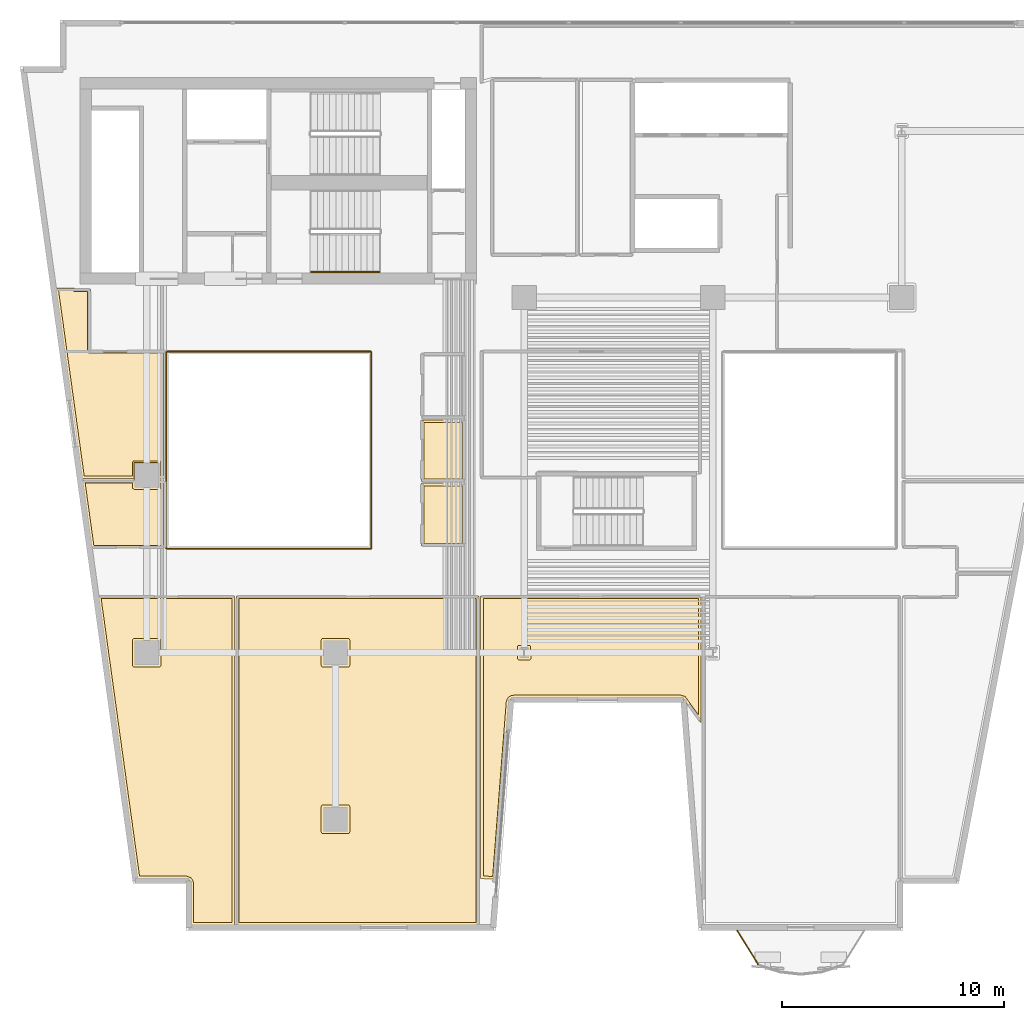
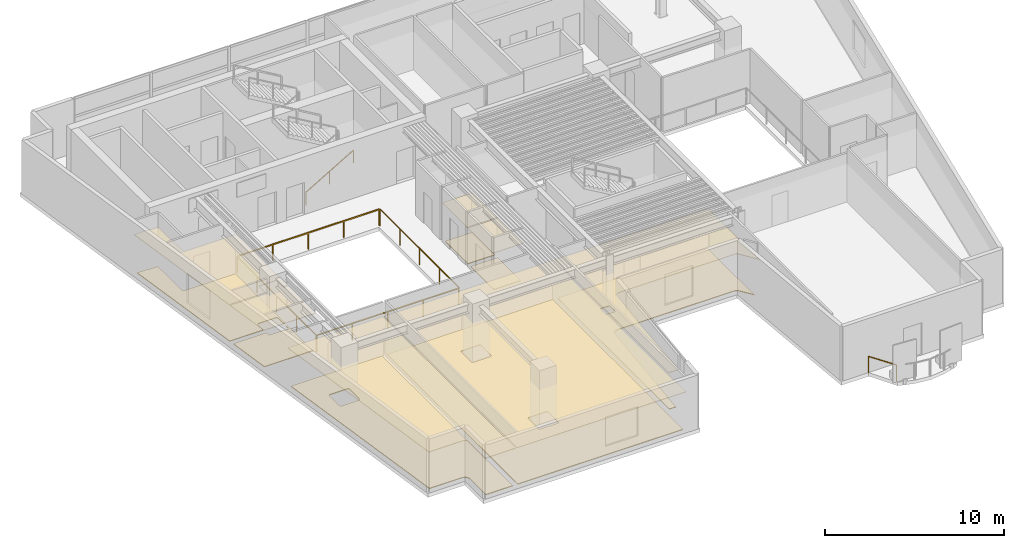
# One storey, part 9 of 13: 14 coverings, 6 railings.
"""IFC4 building model written with IfcOpenShell, lengths in metres."""

import ifcopenshell
import ifcopenshell.guid

model = None  # the IFC model being written
_history = None  # IfcOwnerHistory: only IFC2X3 demands one
_inside = {}  # id of a spatial element -> (the spatial element, [elements in it])
_under = {}  # id of a project, library or spatial element -> (it, [spatial elements below it])
_declared = {}  # id of a project -> (the project, [libraries it declares])
_typed = {}  # id of a type object -> (the type object, [elements of that type])
_made_of = {}  # id of a material, layer set ... -> (it, [elements and type objects made of it])


def new_model(schema):
    """Start an empty IFC model of exactly this schema.

    Asked for "IFC4X3", IfcOpenShell would pick the latest addendum, in which some entities
    have other attributes; the version numbers below select the first issue.
    IFC2X3 requires an IfcOwnerHistory on every rooted entity: one is made here for all.
    """
    global model, _history
    if schema == "IFC4X3":
        model = ifcopenshell.file(schema_version=(4, 3, 0, 0))
    else:
        model = ifcopenshell.file(schema=schema)
    _inside.clear()
    _under.clear()
    _declared.clear()
    _typed.clear()
    _made_of.clear()
    _history = None
    if model.schema == "IFC2X3":
        org = make("IfcOrganization", Name="unknown")
        user = make(
            "IfcPersonAndOrganization",
            ThePerson=make("IfcPerson", FamilyName="unknown"),
            TheOrganization=org,
        )
        app = make(
            "IfcApplication",
            ApplicationDeveloper=org,
            Version="unknown",
            ApplicationFullName="unknown",
            ApplicationIdentifier="unknown",
        )
        _history = make(
            "IfcOwnerHistory",
            OwningUser=user,
            OwningApplication=app,
            ChangeAction="ADDED",
            CreationDate=0,
        )
    return model


def make(cls, **values):
    """One entity of the class cls with the attributes given. An attribute that is None is left unset."""
    return model.create_entity(
        cls, **{name: value for name, value in values.items() if value is not None}
    )


def rooted(cls, **values):
    """An entity with a GlobalId (a new one), such as an element, a storey or a relation."""
    return make(cls, GlobalId=ifcopenshell.guid.new(), OwnerHistory=_history, **values)


def si_unit(unit_type, name, prefix=None):
    """IfcSIUnit, for example si_unit("LENGTHUNIT", "METRE", prefix="MILLI")."""
    return make("IfcSIUnit", UnitType=unit_type, Prefix=prefix, Name=name)


def assignment(units):
    """IfcUnitAssignment: the units of a project."""
    return None if units is None else make("IfcUnitAssignment", Units=units)


def point(xyz):
    """IfcCartesianPoint."""
    return None if xyz is None else make("IfcCartesianPoint", Coordinates=xyz)


def direction(xyz):
    """IfcDirection."""
    return None if xyz is None else make("IfcDirection", DirectionRatios=xyz)


def frame(location, z_axis=None, x_axis=None):
    """IfcAxis2Placement3D, a coordinate frame: its origin and axes. An axis left out is left unset."""
    return make(
        "IfcAxis2Placement3D",
        Location=point(location),
        Axis=direction(z_axis),
        RefDirection=direction(x_axis),
    )


def frame_2d(location, x_axis=None):
    """IfcAxis2Placement2D, a coordinate frame in the plane: its origin and x axis."""
    return make(
        "IfcAxis2Placement2D", Location=point(location), RefDirection=direction(x_axis)
    )


def origin():
    """The frame at (0, 0, 0) with its axes left unset."""
    return frame((0.0, 0.0, 0.0))


def origin_2d():
    """The frame at (0, 0) in the plane with its x axis left unset."""
    return frame_2d((0.0, 0.0))


def place(relative_to, where):
    """IfcLocalPlacement: puts the frame where relative to a parent placement (None: the world)."""
    return make(
        "IfcLocalPlacement", PlacementRelTo=relative_to, RelativePlacement=where
    )


def context(
    kind, dimensions, precision=None, world=None, true_north=None, identifier=None
):
    """IfcGeometricRepresentationContext, for example the 3D "Model" context."""
    return make(
        "IfcGeometricRepresentationContext",
        ContextIdentifier=identifier,
        ContextType=kind,
        CoordinateSpaceDimension=dimensions,
        Precision=precision,
        WorldCoordinateSystem=world,
        TrueNorth=true_north,
    )


def subcontext(parent, identifier, kind, view, scale=None):
    """IfcGeometricRepresentationSubContext, for example "Body" below "Model"."""
    return make(
        "IfcGeometricRepresentationSubContext",
        ContextIdentifier=identifier,
        ContextType=kind,
        ParentContext=parent,
        TargetScale=scale,
        TargetView=view,
    )


def project(units=None, contexts=None):
    """IfcProject with its units and contexts."""
    return rooted(
        "IfcProject",
        Name="project",
        RepresentationContexts=contexts,
        UnitsInContext=assignment(units),
    )


def spatial(cls, under=None, at=None, **own):
    """A site, building, storey or space (cls), placed at a placement, below another one or the project."""
    s = rooted(cls, ObjectPlacement=at, **own)
    if under is not None:
        _under.setdefault(under.id(), (under, []))[1].append(s)
    return s


def polyline(points):
    """IfcPolyline through the points."""
    return make("IfcPolyline", Points=[point(p) for p in points])


def profile(cls, at=None, kind="AREA", **sizes):
    """A parametric profile (cls). Its sizes go by their IFC names, for example OverallWidth=200.0."""
    return make(cls, ProfileType=kind, Position=at, **sizes)


def rectangle(**sizes):
    """IfcRectangleProfileDef."""
    return profile("IfcRectangleProfileDef", **sizes)


def outline(outer, holes=None, kind="AREA"):
    """IfcArbitraryClosedProfileDef: a profile drawn as a closed curve; with holes, ...WithVoids."""
    if holes is None:
        return make("IfcArbitraryClosedProfileDef", ProfileType=kind, OuterCurve=outer)
    return make(
        "IfcArbitraryProfileDefWithVoids",
        ProfileType=kind,
        OuterCurve=outer,
        InnerCurves=holes,
    )


def extrude(swept, where, along, depth):
    """IfcExtrudedAreaSolid: the profile swept, set in the frame where, extruded along a direction by depth."""
    return make(
        "IfcExtrudedAreaSolid",
        SweptArea=swept,
        Position=where,
        ExtrudedDirection=direction(along),
        Depth=depth,
    )


def shape(context_of_items, identifier, shape_type, items):
    """IfcShapeRepresentation: the items that make up one representation, for example the "Body"."""
    return make(
        "IfcShapeRepresentation",
        ContextOfItems=context_of_items,
        RepresentationIdentifier=identifier,
        RepresentationType=shape_type,
        Items=items,
    )


def material(Name=None, Category=None):
    """IfcMaterial."""
    return make("IfcMaterial", Name=Name, Category=Category)


def layer(
    of_material, thickness, ventilated=None, Name=None, Category=None, Priority=None
):
    """IfcMaterialLayer: one layer of a wall or slab, of a material (None: an air gap)."""
    return make(
        "IfcMaterialLayer",
        Material=of_material,
        LayerThickness=thickness,
        IsVentilated=ventilated,
        Name=Name,
        Category=Category,
        Priority=Priority,
    )


def layer_set(layers, Name=None):
    """IfcMaterialLayerSet."""
    return make("IfcMaterialLayerSet", MaterialLayers=layers, LayerSetName=Name)


def made_of(thing, what):
    """Note that an element or type object is made of a material, layer set ...; save() writes the relation."""
    if what is not None:
        _made_of.setdefault(what.id(), (what, []))[1].append(thing)
    return thing


def type_object(cls, material=None, **own):
    """A type object (cls), such as IfcWallType, which elements share."""
    return made_of(rooted(cls, **own), material)


def element(
    cls,
    number,
    at=None,
    inside=None,
    cuts=None,
    type_object=None,
    material=None,
    context=None,
    identifier="Body",
    shape_type=None,
    held_by="IfcProductDefinitionShape",
    body=None,
    shapes=None,
    **own,
):
    """One element of the class cls, such as IfcWall. Its Tag is "e" and its number.

    at: its placement. inside: the storey or other place that contains it. cuts: it is an
    opening in that element (IfcRelVoidsElement). A single representation is given by context,
    identifier, shape_type and body (its items); several are given by shapes. held_by: the class
    of the entity that holds the representations. save() writes the other relations.
    """
    e = rooted(cls, Tag="e%d" % number, ObjectPlacement=at, **own)
    if body is not None:
        shapes = [shape(context, identifier, shape_type, body)]
    if shapes is not None:
        e.Representation = make(held_by, Representations=shapes)
    if inside is not None:
        _inside.setdefault(inside.id(), (inside, []))[1].append(e)
    if cuts is not None:
        rooted(
            "IfcRelVoidsElement", RelatingBuildingElement=cuts, RelatedOpeningElement=e
        )
    if type_object is not None:
        _typed.setdefault(type_object.id(), (type_object, []))[1].append(e)
    return made_of(e, material)


def aggregate(whole, parts):
    """IfcRelAggregates: a whole, such as a stair, and the parts it consists of."""
    return rooted("IfcRelAggregates", RelatingObject=whole, RelatedObjects=parts)


def save(model, path):
    """Write the relations noted so far, then the file.

    IfcRelAggregates (storeys below a building ...), IfcRelContainedInSpatialStructure (elements
    in a storey), IfcRelDefinesByType, IfcRelAssociatesMaterial and IfcRelDeclares: one each for
    every whole, place, type object, material and project.
    """
    for whole, parts in _under.values():
        aggregate(whole, parts)
    for where, things in _inside.values():
        rooted(
            "IfcRelContainedInSpatialStructure",
            RelatedElements=things,
            RelatingStructure=where,
        )
    for kind, things in _typed.values():
        rooted("IfcRelDefinesByType", RelatedObjects=things, RelatingType=kind)
    for what, things in _made_of.values():
        rooted("IfcRelAssociatesMaterial", RelatedObjects=things, RelatingMaterial=what)
    for by, libraries in _declared.values():
        rooted("IfcRelDeclares", RelatingContext=by, RelatedDefinitions=libraries)
    model.write(path)


model = new_model("IFC4")

# Units and contexts
model_context = context("Model", 3, precision=1e-05, world=origin(), true_north=direction((0.0, 1.0)))
body_context = subcontext(model_context, "Body", "Model", "MODEL_VIEW")
ifc_project = project(units=[si_unit("LENGTHUNIT", "METRE"), si_unit("AREAUNIT", "SQUARE_METRE"), si_unit("VOLUMEUNIT", "CUBIC_METRE"), si_unit("PLANEANGLEUNIT", "RADIAN"), si_unit("MASSUNIT", "GRAM", prefix="KILO")], contexts=[model_context])

# Site, building, storey
site_placement = place(None, origin())
site = spatial("IfcSite", under=ifc_project, at=site_placement, CompositionType="ELEMENT")
building_placement = place(site_placement, origin())
building = spatial("IfcBuilding", under=site, at=building_placement, Name="Caeloran Harvest Quay", CompositionType="ELEMENT")
storey_placement = place(building_placement, frame((0.0, 0.0, 123.25)))
storey = spatial("IfcBuildingStorey", under=building, at=storey_placement, Name="L28", CompositionType="ELEMENT", Elevation=123.25)

# Coverings
ifc_material_1 = material(Name="Perforated Mineral-Fibre Acoustic Ceiling Tile", Category="ceiling")
ifc_layer_1 = layer(ifc_material_1, 0.0400390625, Name="Perforated Mineral-Fibre Acoustic Ceiling Tile")
ifc_layer_set_1 = layer_set([ifc_layer_1], Name="Perforated Mineral-Fibre Acoustic Ceiling Tile")
covering_type_1 = type_object("IfcCoveringType", Name="COV-CEILING-ACOUSTIC", PredefinedType="CEILING", material=ifc_layer_set_1)
covering_1_placement = place(storey_placement, frame((0.0, 0.0, 2.60009765625)))
element("IfcCovering", 1, at=covering_1_placement, inside=storey, type_object=covering_type_1, Name="L28 Female Washroom WC Acoustic Ceiling", PredefinedType="CEILING", context=body_context, shape_type="SweptSolid", body=[
    extrude(outline(polyline([(22.840087890625, 22.7099609375), (20.8701171875, 22.7099609375), (20.8701171875, 25.489990234375), (22.840087890625, 25.489990234375), (22.840087890625, 22.7099609375)])), origin(), (0.0, 0.0, 1.0), 0.039794921875),
])
covering_2_placement = place(storey_placement, frame((0.0, 0.0, 2.60009765625)))
element("IfcCovering", 2, at=covering_2_placement, inside=storey, type_object=covering_type_1, Name="L28 Accessible Unisex Washroom WC Acoustic Ceiling", PredefinedType="CEILING", context=body_context, shape_type="SweptSolid", body=[
    extrude(outline(polyline([(22.840087890625, 19.81005859375), (20.8701171875, 19.81005859375), (20.8701171875, 22.639892578125), (22.840087890625, 22.639892578125), (22.840087890625, 19.81005859375)])), origin(), (0.0, 0.0, 1.0), 0.039794921875),
])
covering_3_placement = place(storey_placement, frame((0.0, 0.0, 2.60009765625)))
element("IfcCovering", 3, at=covering_3_placement, inside=storey, type_object=covering_type_1, Name="Precision Agriculture Engineering Office Acoustic Ceiling", PredefinedType="CEILING", context=body_context, shape_type="SweptSolid", body=[
    extrude(outline(polyline([(23.4599609375, 2.719970703125), (12.5400390625, 2.719970703125), (12.5400390625, 17.56005859375), (23.4599609375, 17.56005859375), (23.4599609375, 2.719970703125)])), origin(), (0.0, 0.0, 1.0), 0.039794921875),
])
covering_4_placement = place(storey_placement, frame((0.0, 0.0, 2.60009765625)))
element("IfcCovering", 4, at=covering_4_placement, inside=storey, type_object=covering_type_1, Name="Drone Telemetry Computing Office Acoustic Ceiling", PredefinedType="CEILING", context=body_context, shape_type="SweptSolid", body=[
    extrude(outline(polyline([(10.464111328125, 4.70361328125), (10.373779296875, 4.7939453125), (10.26904296875, 4.820068359375), (8.0712890625, 4.820068359375), (6.309326171875, 17.56005859375), (12.4599609375, 17.56005859375), (12.4599609375, 2.719970703125), (10.489990234375, 2.719970703125), (10.489990234375, 4.59912109375), (10.464111328125, 4.70361328125)])), origin(), (0.0, 0.0, 1.0), 0.039794921875),
])
covering_5_placement = place(storey_placement, frame((0.0, 0.0, 2.60009765625)))
element("IfcCovering", 5, at=covering_5_placement, inside=storey, type_object=covering_type_1, Name="Boardroom and Client Briefing Room Acoustic Ceiling", PredefinedType="CEILING", context=body_context, shape_type="SweptSolid", body=[
    extrude(outline(polyline([(33.4599609375, 11.83740234375), (32.770751953125, 12.79248046875), (32.726806640625, 12.887451171875), (32.659912109375, 12.943359375), (32.576904296875, 12.968994140625), (25.031005859375, 12.969970703125), (24.90625, 12.931884765625), (24.83447265625, 12.850830078125), (24.810546875, 12.76611328125), (24.18896484375, 4.801025390625), (23.5400390625, 4.826416015625), (23.5400390625, 17.56005859375), (33.4599609375, 17.56005859375), (33.4599609375, 11.83740234375)])), origin(), (0.0, 0.0, 1.0), 0.039794921875),
])
covering_6_placement = place(storey_placement, frame((0.0, 0.0, 2.60009765625)))
element("IfcCovering", 6, at=covering_6_placement, inside=storey, type_object=covering_type_1, Name="Staff Espresso Kitchen Acoustic Ceiling", PredefinedType="CEILING", context=body_context, shape_type="SweptSolid", body=[
    extrude(outline(polyline([(9.360107421875, 22.760009765625), (9.360107421875, 19.7099609375), (6.01220703125, 19.7099609375), (5.59033203125, 22.760009765625), (7.929931640625, 22.760009765625), (7.929931640625, 23.570068359375), (9.070068359375, 23.570068359375), (9.070068359375, 22.760009765625), (9.360107421875, 22.760009765625)])), origin(), (0.0, 0.0, 1.0), 0.039794921875),
])
covering_7_placement = place(storey_placement, frame((0.0, 0.0, 2.60009765625)))
element("IfcCovering", 7, at=covering_7_placement, inside=storey, type_object=covering_type_1, Name="Precision Agriculture Engineering Office 9 Acoustic Ceiling", PredefinedType="CEILING", context=body_context, shape_type="SweptSolid", body=[
    extrude(outline(polyline([(9.070068359375, 22.429931640625), (7.929931640625, 22.429931640625), (7.929931640625, 22.840087890625), (5.5791015625, 22.840087890625), (4.391357421875, 31.429931640625), (5.214599609375, 31.429931640625), (5.260009765625, 31.408447265625), (5.260009765625, 31.389892578125), (5.9599609375, 31.389892578125), (5.9599609375, 28.610107421875), (9.360107421875, 28.610107421875), (9.360107421875, 22.840087890625), (9.070068359375, 22.840087890625), (9.070068359375, 22.429931640625)])), origin(), (0.0, 0.0, 1.0), 0.039794921875),
])
ifc_material_2 = material(Name="Calcium-Sulphate Raised Access Floor and Terrazzo Finish", Category="flooring")
ifc_layer_2 = layer(ifc_material_2, 0.050048828125, Name="Calcium-Sulphate Raised Access Floor and Terrazzo Finish")
ifc_layer_set_2 = layer_set([ifc_layer_2], Name="Calcium-Sulphate Raised Access Floor and Terrazzo Finish")
covering_type_2 = type_object("IfcCoveringType", Name="COV-FLOOR-RAISED", PredefinedType="FLOORING", material=ifc_layer_set_2)
covering_8_placement = place(storey_placement, origin())
element("IfcCovering", 8, at=covering_8_placement, inside=storey, type_object=covering_type_2, Name="L28 Female Washroom WC Raised Finish Flooring", PredefinedType="FLOORING", context=body_context, shape_type="SweptSolid", body=[
    extrude(outline(polyline([(22.719970703125, 22.830078125), (20.989990234375, 22.830078125), (20.989990234375, 25.3701171875), (22.719970703125, 25.3701171875), (22.719970703125, 22.830078125)])), origin(), (0.0, 0.0, 1.0), 0.050048828125),
])
covering_9_placement = place(storey_placement, origin())
element("IfcCovering", 9, at=covering_9_placement, inside=storey, type_object=covering_type_2, Name="L28 Accessible Unisex Washroom WC Raised Finish Flooring", PredefinedType="FLOORING", context=body_context, shape_type="SweptSolid", body=[
    extrude(outline(polyline([(22.719970703125, 19.929931640625), (20.989990234375, 19.929931640625), (20.989990234375, 22.52001953125), (22.719970703125, 22.52001953125), (22.719970703125, 19.929931640625)])), origin(), (0.0, 0.0, 1.0), 0.050048828125),
])
covering_10_placement = place(storey_placement, origin())
element("IfcCovering", 10, at=covering_10_placement, inside=storey, type_object=covering_type_2, Name="Precision Agriculture Engineering Office Raised Finish Flooring", PredefinedType="FLOORING", context=body_context, shape_type="SweptSolid", body=[
    extrude(outline(polyline([(12.659912109375, 17.43994140625), (23.340087890625, 17.43994140625), (23.340087890625, 2.840087890625), (12.659912109375, 2.840087890625), (12.659912109375, 17.43994140625)]), holes=[polyline([(16.43505859375, 8.14501953125), (16.37841796875, 8.12158203125), (16.35498046875, 8.06494140625), (16.35498046875, 6.93505859375), (16.37841796875, 6.87841796875), (16.43505859375, 6.85498046875), (17.56494140625, 6.85498046875), (17.62158203125, 6.87841796875), (17.64501953125, 6.93505859375), (17.64501953125, 8.06494140625), (17.62158203125, 8.12158203125), (17.56494140625, 8.14501953125), (16.43505859375, 8.14501953125)]), polyline([(16.43505859375, 15.64501953125), (16.37841796875, 15.62158203125), (16.35498046875, 15.56494140625), (16.35498046875, 14.43505859375), (16.37841796875, 14.37841796875), (16.43505859375, 14.35498046875), (17.56494140625, 14.35498046875), (17.62158203125, 14.37841796875), (17.64501953125, 14.43505859375), (17.64501953125, 15.56494140625), (17.62158203125, 15.62158203125), (17.56494140625, 15.64501953125), (16.43505859375, 15.64501953125)])]), origin(), (0.0, 0.0, 1.0), 0.050048828125),
])
covering_11_placement = place(storey_placement, origin())
element("IfcCovering", 11, at=covering_11_placement, inside=storey, type_object=covering_type_2, Name="Drone Telemetry Computing Office Raised Finish Flooring", PredefinedType="FLOORING", context=body_context, shape_type="SweptSolid", body=[
    extrude(outline(polyline([(10.58544921875, 4.726318359375), (10.482666015625, 4.865234375), (10.29931640625, 4.938720703125), (8.17578125, 4.93994140625), (6.447021484375, 17.43994140625), (12.340087890625, 17.43994140625), (12.340087890625, 2.840087890625), (10.610107421875, 2.840087890625), (10.610107421875, 4.60009765625), (10.58544921875, 4.726318359375)]), holes=[polyline([(7.93505859375, 15.64501953125), (7.87841796875, 15.62158203125), (7.85498046875, 15.56494140625), (7.85498046875, 14.43505859375), (7.87841796875, 14.37841796875), (7.93505859375, 14.35498046875), (9.06494140625, 14.35498046875), (9.12158203125, 14.37841796875), (9.14501953125, 14.43505859375), (9.14501953125, 15.56494140625), (9.12158203125, 15.62158203125), (9.06494140625, 15.64501953125), (7.93505859375, 15.64501953125)])]), origin(), (0.0, 0.0, 1.0), 0.050048828125),
])
covering_12_placement = place(storey_placement, origin())
element("IfcCovering", 12, at=covering_12_placement, inside=storey, type_object=covering_type_2, Name="Boardroom and Client Briefing Room Raised Finish Flooring", PredefinedType="FLOORING", context=body_context, shape_type="SweptSolid", body=[
    extrude(outline(polyline([(33.340087890625, 12.208740234375), (32.74951171875, 13.02880859375), (32.554931640625, 13.090087890625), (25.030029296875, 13.090087890625), (24.90185546875, 13.06494140625), (24.808837890625, 13.008056640625), (24.72607421875, 12.902099609375), (24.69091796875, 12.776611328125), (24.078369140625, 4.925537109375), (23.659912109375, 4.94189453125), (23.659912109375, 17.43994140625), (33.340087890625, 17.43994140625), (33.340087890625, 12.208740234375)]), holes=[polyline([(25.806884765625, 14.748046875), (25.788818359375, 15.302734375), (25.73486328125, 15.33154296875), (25.27294921875, 15.33203125), (25.21630859375, 15.30859375), (25.193115234375, 15.251953125), (25.193115234375, 14.748046875), (25.21630859375, 14.69140625), (25.27294921875, 14.66796875), (25.72705078125, 14.66796875), (25.78369140625, 14.69140625), (25.806884765625, 14.748046875)])]), origin(), (0.0, 0.0, 1.0), 0.050048828125),
])
covering_13_placement = place(storey_placement, origin())
element("IfcCovering", 13, at=covering_13_placement, inside=storey, type_object=covering_type_2, Name="Staff Espresso Kitchen Raised Finish Flooring", PredefinedType="FLOORING", context=body_context, shape_type="SweptSolid", body=[
    extrude(outline(polyline([(7.85498046875, 22.639892578125), (7.8583984375, 22.411865234375), (7.93505859375, 22.35498046875), (9.08056640625, 22.3564453125), (9.1435546875, 22.41943359375), (9.14501953125, 22.639892578125), (9.239990234375, 22.639892578125), (9.239990234375, 19.830078125), (6.11669921875, 19.830078125), (5.72802734375, 22.639892578125), (7.85498046875, 22.639892578125)])), origin(), (0.0, 0.0, 1.0), 0.050048828125),
])
covering_14_placement = place(storey_placement, origin())
element("IfcCovering", 14, at=covering_14_placement, inside=storey, type_object=covering_type_2, Name="Precision Agriculture Engineering Office 9 Raised Finish Flooring", PredefinedType="FLOORING", context=body_context, shape_type="SweptSolid", body=[
    extrude(outline(polyline([(5.165283203125, 31.31005859375), (5.2431640625, 31.270263671875), (5.840087890625, 31.27001953125), (5.840087890625, 28.60009765625), (5.8857421875, 28.5107421875), (5.949951171875, 28.489990234375), (9.239990234375, 28.489990234375), (9.239990234375, 22.9599609375), (9.14501953125, 22.9599609375), (9.14453125, 23.57275390625), (9.11572265625, 23.626708984375), (9.06494140625, 23.64501953125), (7.897216796875, 23.635498046875), (7.85546875, 23.57275390625), (7.85498046875, 22.9599609375), (5.683837890625, 22.9599609375), (4.529052734375, 31.31005859375), (5.165283203125, 31.31005859375)])), origin(), (0.0, 0.0, 1.0), 0.050048828125),
])

# Railings
ifc_material_3 = material(Name="Powder-Coated Steel Post and Laminated Glass Guardrail", Category="steel")
ifc_layer_3 = layer(ifc_material_3, 0.06005859375, Name="Powder-Coated Steel Post and Laminated Glass Guardrail")
ifc_layer_set_3 = layer_set([ifc_layer_3], Name="Powder-Coated Steel Post and Laminated Glass Guardrail")
railing_type_1 = type_object("IfcRailingType", Name="GUARD-ATRIUM-1150", PredefinedType="GUARDRAIL", material=ifc_layer_set_3)
railing_1_placement = place(storey_placement, frame((9.412109375, 19.679931640625, 0.0)))
element("IfcRailing", 15, at=railing_1_placement, inside=storey, type_object=railing_type_1, Name="L28 Skylit Atrium Void Perimeter Guardrail Seg 1", PredefinedType="GUARDRAIL", context=body_context, shape_type="SweptSolid", body=[
    extrude(rectangle(XDim=0.048095703125, YDim=0.048095703125, at=origin_2d()), frame((0.0, 0.0, 1.1259765625), z_axis=(1.0, 0.0, 0.0), x_axis=(0.0, 1.0, 0.0)), (0.0, 0.0, 1.0), 9.17578125),
    extrude(rectangle(XDim=0.0419921875, YDim=0.0419921875, at=origin_2d()), origin(), (0.0, 0.0, 1.0), 1.101806640625),
    extrude(rectangle(XDim=0.0419921875, YDim=0.0419921875, at=origin_2d()), frame((2.2939453125, 0.0, 0.0)), (0.0, 0.0, 1.0), 1.101806640625),
    extrude(rectangle(XDim=0.0419921875, YDim=0.0419921875, at=origin_2d()), frame((4.587890625, 0.0, 0.0)), (0.0, 0.0, 1.0), 1.101806640625),
    extrude(rectangle(XDim=0.0419921875, YDim=0.0419921875, at=origin_2d()), frame((6.8818359375, 0.0, 0.0)), (0.0, 0.0, 1.0), 1.101806640625),
    extrude(rectangle(XDim=0.0419921875, YDim=0.0419921875, at=origin_2d()), frame((9.17578125, 0.0, 0.0)), (0.0, 0.0, 1.0), 1.101806640625),
])
railing_2_placement = place(storey_placement, frame((18.6201171875, 19.7119140625, 0.0)))
element("IfcRailing", 16, at=railing_2_placement, inside=storey, type_object=railing_type_1, Name="L28 Skylit Atrium Void Perimeter Guardrail Seg 2", PredefinedType="GUARDRAIL", context=body_context, shape_type="SweptSolid", body=[
    extrude(rectangle(XDim=0.048095703125, YDim=0.048095703125, at=origin_2d()), frame((0.0, 0.0, 1.1259765625), z_axis=(0.0, 1.0, 0.0), x_axis=(-1.0, 0.0, 0.0)), (0.0, 0.0, 1.0), 8.826171875),
    extrude(rectangle(XDim=0.0419921875, YDim=0.0419921875, at=origin_2d()), origin(), (0.0, 0.0, 1.0), 1.101806640625),
    extrude(rectangle(XDim=0.0419921875, YDim=0.0419921875, at=origin_2d()), frame((0.0, 2.20654296875, 0.0)), (0.0, 0.0, 1.0), 1.101806640625),
    extrude(rectangle(XDim=0.0419921875, YDim=0.0419921875, at=origin_2d()), frame((0.0, 4.4130859375, 0.0)), (0.0, 0.0, 1.0), 1.101806640625),
    extrude(rectangle(XDim=0.0419921875, YDim=0.0419921875, at=origin_2d()), frame((0.0, 6.61962890625, 0.0)), (0.0, 0.0, 1.0), 1.101806640625),
    extrude(rectangle(XDim=0.0419921875, YDim=0.0419921875, at=origin_2d()), frame((0.0, 8.826171875, 0.0)), (0.0, 0.0, 1.0), 1.101806640625),
])
railing_3_placement = place(storey_placement, frame((18.587890625, 28.570068359375, 0.0)))
element("IfcRailing", 17, at=railing_3_placement, inside=storey, type_object=railing_type_1, Name="L28 Skylit Atrium Void Perimeter Guardrail Seg 3", PredefinedType="GUARDRAIL", context=body_context, shape_type="SweptSolid", body=[
    extrude(rectangle(XDim=0.048095703125, YDim=0.048095703125, at=origin_2d()), frame((0.0, 0.0, 1.1259765625), z_axis=(-1.0, 0.0, 0.0), x_axis=(0.0, -1.0, 0.0)), (0.0, 0.0, 1.0), 9.17578125),
    extrude(rectangle(XDim=0.0419921875, YDim=0.0419921875, at=origin_2d()), origin(), (0.0, 0.0, 1.0), 1.101806640625),
    extrude(rectangle(XDim=0.0419921875, YDim=0.0419921875, at=origin_2d()), frame((-2.2939453125, 0.0, 0.0)), (0.0, 0.0, 1.0), 1.101806640625),
    extrude(rectangle(XDim=0.0419921875, YDim=0.0419921875, at=origin_2d()), frame((-4.587890625, 0.0, 0.0)), (0.0, 0.0, 1.0), 1.101806640625),
    extrude(rectangle(XDim=0.0419921875, YDim=0.0419921875, at=origin_2d()), frame((-6.8818359375, 0.0, 0.0)), (0.0, 0.0, 1.0), 1.101806640625),
    extrude(rectangle(XDim=0.0419921875, YDim=0.0419921875, at=origin_2d()), frame((-9.17578125, 0.0, 0.0)), (0.0, 0.0, 1.0), 1.101806640625),
])
railing_4_placement = place(storey_placement, frame((9.3798828125, 28.5380859375, 0.0)))
element("IfcRailing", 18, at=railing_4_placement, inside=storey, type_object=railing_type_1, Name="L28 Skylit Atrium Void Perimeter Guardrail Seg 4", PredefinedType="GUARDRAIL", context=body_context, shape_type="SweptSolid", body=[
    extrude(rectangle(XDim=0.048095703125, YDim=0.048095703125, at=origin_2d()), frame((0.0, 0.0, 1.1259765625), z_axis=(0.0, -1.0, 0.0), x_axis=(1.0, 0.0, 0.0)), (0.0, 0.0, 1.0), 8.826171875),
    extrude(rectangle(XDim=0.0419921875, YDim=0.0419921875, at=origin_2d()), origin(), (0.0, 0.0, 1.0), 1.101806640625),
    extrude(rectangle(XDim=0.0419921875, YDim=0.0419921875, at=origin_2d()), frame((0.0, -2.20654296875, 0.0)), (0.0, 0.0, 1.0), 1.101806640625),
    extrude(rectangle(XDim=0.0419921875, YDim=0.0419921875, at=origin_2d()), frame((0.0, -4.4130859375, 0.0)), (0.0, 0.0, 1.0), 1.101806640625),
    extrude(rectangle(XDim=0.0419921875, YDim=0.0419921875, at=origin_2d()), frame((0.0, -6.61962890625, 0.0)), (0.0, 0.0, 1.0), 1.101806640625),
    extrude(rectangle(XDim=0.0419921875, YDim=0.0419921875, at=origin_2d()), frame((0.0, -8.826171875, 0.0)), (0.0, 0.0, 1.0), 1.101806640625),
])
ifc_material_4 = material(Name="Laminated Safety Glass and Stainless Steel 316", Category="steel")
ifc_layer_4 = layer(ifc_material_4, 0.06005859375, Name="Laminated Safety Glass and Stainless Steel 316")
ifc_layer_set_4 = layer_set([ifc_layer_4], Name="Laminated Safety Glass and Stainless Steel 316")
railing_type_2 = type_object("IfcRailingType", Name="GUARD-BALUSTRADE-1150", PredefinedType="BALUSTRADE", material=ifc_layer_set_4)
railing_5_placement = place(storey_placement, frame((36.0283203125, 0.973876953125, 0.0)))
element("IfcRailing", 19, at=railing_5_placement, inside=storey, type_object=railing_type_2, Name="L28 Planted Balcony Perimeter Balustrade Guard Seg 6", PredefinedType="BALUSTRADE", context=body_context, shape_type="SweptSolid", body=[
    extrude(rectangle(XDim=0.048095703125, YDim=0.048095703125, at=origin_2d()), frame((0.0, 0.0, 1.1259765625), z_axis=(-0.529145567667, 0.84853106497, 0.0), x_axis=(-0.84853106497, -0.529145567667, 0.0)), (0.0, 0.0, 1.0), 1.77490234375),
    extrude(rectangle(XDim=0.0419921875, YDim=0.0419921875, at=origin_2d()), origin(), (0.0, 0.0, 1.0), 1.101806640625),
    extrude(rectangle(XDim=0.0419921875, YDim=0.0419921875, at=origin_2d()), frame((-0.939208984375, 1.506103515625, 0.0)), (0.0, 0.0, 1.0), 1.101806640625),
])
ifc_material_5 = material(Name="Brushed Stainless Steel Grade 304", Category="steel")
ifc_layer_5 = layer(ifc_material_5, 0.050048828125, Name="Brushed Stainless Steel Grade 304")
ifc_layer_set_5 = layer_set([ifc_layer_5], Name="Brushed Stainless Steel Grade 304")
railing_type_3 = type_object("IfcRailingType", Name="STAIR-HANDRAIL-900", PredefinedType="HANDRAIL", material=ifc_layer_set_5)
railing_6_placement = place(storey_placement, frame((15.89990234375, 32.14990234375, 0.16455078125)))
element("IfcRailing", 20, at=railing_6_placement, inside=storey, type_object=railing_type_3, Name="L28 ST-C2 stair handrail 1", PredefinedType="HANDRAIL", context=body_context, shape_type="SweptSolid", body=[
    extrude(rectangle(XDim=0.048095703125, YDim=0.048095703125, at=origin_2d()), frame((0.0, 0.0, 0.8759765625), z_axis=(0.862088758681, 0.0, 0.506757310905), x_axis=(0.0, 1.0, 0.0)), (0.0, 0.0, 1.0), 3.57275390625),
    extrude(rectangle(XDim=0.0419921875, YDim=0.0419921875, at=origin_2d()), origin(), (0.0, 0.0, 1.0), 0.851806640625),
    extrude(rectangle(XDim=0.0419921875, YDim=0.0419921875, at=origin_2d()), frame((1.5400390625, 0.0, 0.9052734375)), (0.0, 0.0, 1.0), 0.851806640625),
    extrude(rectangle(XDim=0.0419921875, YDim=0.0419921875, at=origin_2d()), frame((3.080078125, 0.0, 1.810546875)), (0.0, 0.0, 1.0), 0.851806640625),
])

save(model, "model.ifc")
